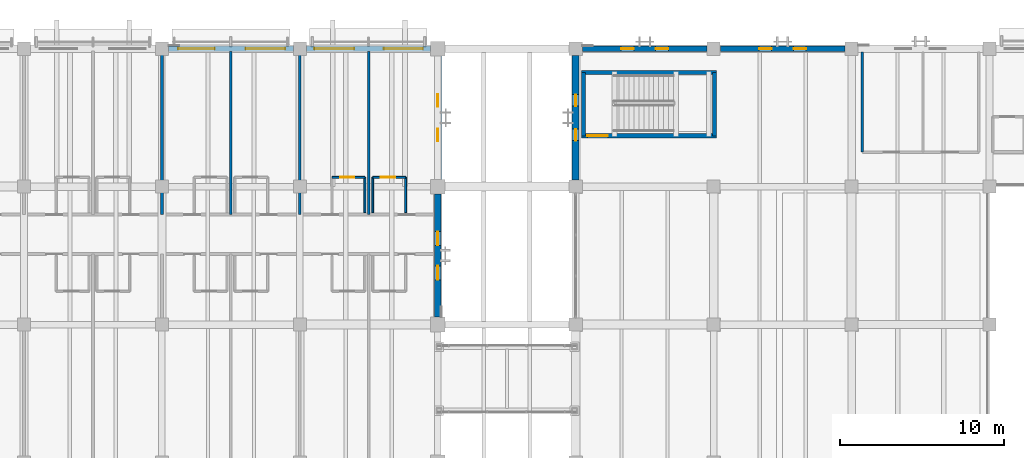
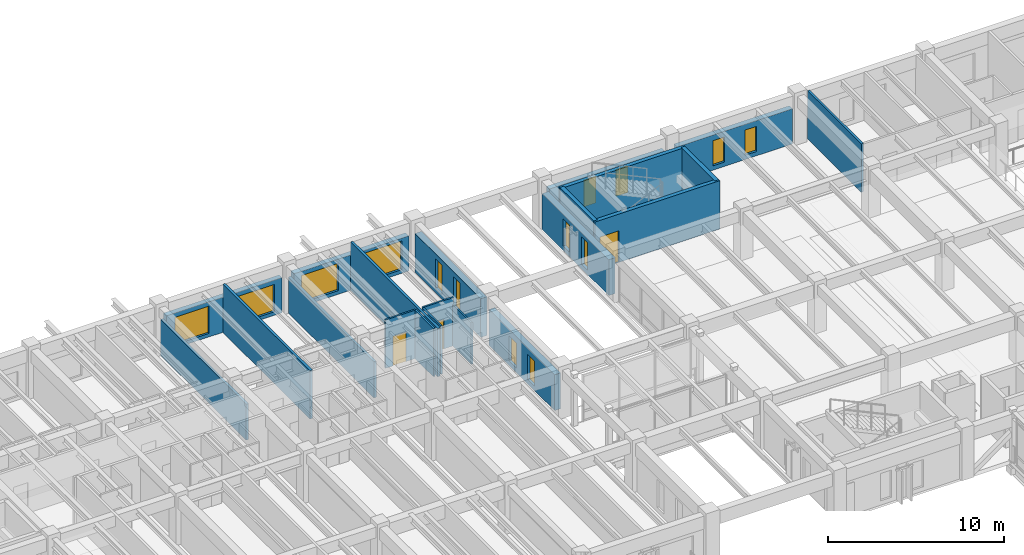
# One storey, part 77 of 118: 21 walls, 14 windows, 3 doors, 17 openings.
"""IFC4 building model written with IfcOpenShell, lengths in metres."""

from ifc_helpers import new_model, si_unit, direction, frame, frame_2d, origin, place, context, subcontext, project, spatial, rectangle, extrude, material, layer, layer_set, type_object, element, fill, save


model = new_model("IFC4")

# Units and contexts
model_context = context("Model", 3, precision=1e-05, world=origin(), true_north=direction((0.0, 1.0)))
body_context = subcontext(model_context, "Body", "Model", "MODEL_VIEW")
ifc_project = project(units=[si_unit("LENGTHUNIT", "METRE"), si_unit("AREAUNIT", "SQUARE_METRE"), si_unit("VOLUMEUNIT", "CUBIC_METRE"), si_unit("PLANEANGLEUNIT", "RADIAN"), si_unit("MASSUNIT", "GRAM", prefix="KILO")], contexts=[model_context])

# Site, building, storey
site_placement = place(None, origin())
site = spatial("IfcSite", under=ifc_project, at=site_placement, CompositionType="ELEMENT")
building_placement = place(site_placement, origin())
building = spatial("IfcBuilding", under=site, at=building_placement, Name="Cumbredor Promenade Congress Hotel", CompositionType="ELEMENT")
storey_placement = place(building_placement, frame((0.0, 0.0, 3.919921875)))
storey = spatial("IfcBuildingStorey", under=building, at=storey_placement, Name="L01", CompositionType="ELEMENT", Elevation=3.919921875)

# Wall, opening, door
ifc_material_1 = material(Name="Moisture-resistant gypsum board on steel studs", Category="steel")
ifc_layer_1 = layer(ifc_material_1, 0.114990234375, Name="Moisture-resistant gypsum board on steel studs", Category="steel")
ifc_layer_set_1 = layer_set([ifc_layer_1], Name="Moisture-resistant gypsum board on steel studs")
wall_type_1 = type_object("IfcWallType", Name="WL-BATH-115", PredefinedType="PARTITIONING", material=ifc_layer_set_1)
wall_1_placement = place(storey_placement, frame((77.56005859375, 109.77001953125, 0.0), z_axis=(0.0, 0.0, 1.0), x_axis=(1.0, 0.0, 0.0)))
wall_1 = element("IfcWall", 1, at=wall_1_placement, inside=storey, type_object=wall_type_1, Name="L01 Interior Partition W-L01-BH-0117", PredefinedType="PARTITIONING", context=body_context, shape_type="SweptSolid", body=[
    extrude(rectangle(XDim=2.0, YDim=0.114990234375, at=frame_2d((1.0, 0.0))), origin(), (0.0, 0.0, 1.0), 3.360107421875),
])
opening_1_placement = place(wall_1_placement, frame((0.5, 0.0, 0.0)))
opening_1 = element("IfcOpeningElement", 2, at=opening_1_placement, cuts=wall_1, Name="Opening ID-01", PredefinedType="OPENING", context=body_context, shape_type="SweptSolid", body=[
    extrude(rectangle(XDim=0.860107421875, YDim=2.050048828125, at=frame_2d((0.43017578125, 1.02490234375))), frame((0.0, 0.0673828125, 0.0), z_axis=(0.0, -1.0, 0.0), x_axis=(1.0, 0.0, 0.0)), (0.0, 0.0, 1.0), 0.135009765625),
])
ifc_material_2 = material(Name="Kiln-dried tropical hardwood", Category="wood")
door_type_1 = type_object("IfcDoorType", Name="DR-BATH-860", OperationType="NOTDEFINED", PredefinedType="DOOR", material=ifc_material_2)
door_1_placement = place(opening_1_placement, origin())
door_1 = element("IfcDoor", 3, at=door_1_placement, inside=storey, type_object=door_type_1, Name="L01 Interior Door W-L01-BH-0117-01", OperationType="SINGLE_SWING_LEFT", OverallHeight=2.050048828125, OverallWidth=0.860107421875, PredefinedType="DOOR", context=body_context, shape_type="SweptSolid", body=[
    extrude(rectangle(XDim=0.860107421875, YDim=2.050048828125, at=frame_2d((0.43017578125, 1.02490234375))), frame((0.0, 0.02490234375, 0.0), z_axis=(0.0, -1.0, 0.0), x_axis=(1.0, 0.0, 0.0)), (0.0, 0.0, 1.0), 0.050048828125),
])
fill(opening_1, door_1)

# Wall
wall_2_placement = place(storey_placement, frame((79.56005859375, 107.6201171875, 0.0), z_axis=(0.0, 0.0, 1.0), x_axis=(0.0, 1.0, 0.0)))
element("IfcWall", 4, at=wall_2_placement, inside=storey, type_object=wall_type_1, Name="L01 Interior Partition W-L01-BV2-0117", PredefinedType="PARTITIONING", context=body_context, shape_type="SweptSolid", body=[
    extrude(rectangle(XDim=2.14990234375, YDim=0.114990234375, at=frame_2d((1.074951171875, 0.0))), origin(), (0.0, 0.0, 1.0), 3.360107421875),
])

# Wall, opening, door
wall_3_placement = place(storey_placement, frame((80.0400390625, 109.77001953125, 0.0), z_axis=(0.0, 0.0, 1.0), x_axis=(1.0, 0.0, 0.0)))
wall_3 = element("IfcWall", 5, at=wall_3_placement, inside=storey, type_object=wall_type_1, Name="L01 Interior Partition W-L01-BH-0118", PredefinedType="PARTITIONING", context=body_context, shape_type="SweptSolid", body=[
    extrude(rectangle(XDim=2.0, YDim=0.114990234375, at=frame_2d((1.0, 0.0))), origin(), (0.0, 0.0, 1.0), 3.360107421875),
])
opening_2_placement = place(wall_3_placement, frame((0.5, 0.0, 0.0)))
opening_2 = element("IfcOpeningElement", 6, at=opening_2_placement, cuts=wall_3, Name="Opening ID-01", PredefinedType="OPENING", context=body_context, shape_type="SweptSolid", body=[
    extrude(rectangle(XDim=0.860107421875, YDim=2.050048828125, at=frame_2d((0.43017578125, 1.02490234375))), frame((0.0, 0.0673828125, 0.0), z_axis=(0.0, -1.0, 0.0), x_axis=(1.0, 0.0, 0.0)), (0.0, 0.0, 1.0), 0.135009765625),
])
door_2_placement = place(opening_2_placement, origin())
door_2 = element("IfcDoor", 7, at=door_2_placement, inside=storey, type_object=door_type_1, Name="L01 Interior Door W-L01-BH-0118-01", OperationType="SINGLE_SWING_RIGHT", OverallHeight=2.050048828125, OverallWidth=0.860107421875, PredefinedType="DOOR", context=body_context, shape_type="SweptSolid", body=[
    extrude(rectangle(XDim=0.860107421875, YDim=2.050048828125, at=frame_2d((0.43017578125, 1.02490234375))), frame((0.0, 0.02490234375, 0.0), z_axis=(0.0, -1.0, 0.0), x_axis=(1.0, 0.0, 0.0)), (0.0, 0.0, 1.0), 0.050048828125),
])
fill(opening_2, door_2)

# Walls
wall_4_placement = place(storey_placement, frame((80.0400390625, 107.6201171875, 0.0), z_axis=(0.0, 0.0, 1.0), x_axis=(0.0, 1.0, 0.0)))
element("IfcWall", 8, at=wall_4_placement, inside=storey, type_object=wall_type_1, Name="L01 Interior Partition W-L01-BV1-0118", PredefinedType="PARTITIONING", context=body_context, shape_type="SweptSolid", body=[
    extrude(rectangle(XDim=2.14990234375, YDim=0.114990234375, at=frame_2d((1.074951171875, 0.0))), origin(), (0.0, 0.0, 1.0), 3.360107421875),
])
wall_5_placement = place(storey_placement, frame((82.0400390625, 107.6201171875, 0.0), z_axis=(0.0, 0.0, 1.0), x_axis=(0.0, 1.0, 0.0)))
element("IfcWall", 9, at=wall_5_placement, inside=storey, type_object=wall_type_1, Name="L01 Interior Partition W-L01-BV2-0118", PredefinedType="PARTITIONING", context=body_context, shape_type="SweptSolid", body=[
    extrude(rectangle(XDim=2.14990234375, YDim=0.114990234375, at=frame_2d((1.074951171875, 0.0))), origin(), (0.0, 0.0, 1.0), 2.882080078125),
])

# Wall, openings, windows
ifc_material_3 = material(Name="Concrete C40/50", Category="concrete")
ifc_layer_2 = layer(ifc_material_3, 0.324951171875, Name="Concrete C40/50", Category="concrete")
ifc_layer_set_2 = layer_set([ifc_layer_2], Name="Concrete C40/50")
wall_type_2 = type_object("IfcWallType", Name="WL-EXT-325", PredefinedType="SOLIDWALL", material=ifc_layer_set_2)
wall_6_placement = place(storey_placement, frame((92.801025390625, 117.60009765625, 0.0), z_axis=(0.0, 0.0, 1.0), x_axis=(1.0, 0.0, 0.0)))
wall_6 = element("IfcWall", 10, at=wall_6_placement, inside=storey, type_object=wall_type_2, Name="L01 Pre-Function and Breakout Meeting Forum North Envelope Wall 1", PredefinedType="SOLIDWALL", context=body_context, shape_type="SweptSolid", body=[
    extrude(rectangle(XDim=7.597900390625, YDim=0.324951171875, at=frame_2d((3.798828125, 0.0))), origin(), (0.0, 0.0, 1.0), 2.445068359375),
])
opening_3_placement = place(wall_6_placement, frame((2.35888671875, 0.0, 0.300048828125)))
opening_3 = element("IfcOpeningElement", 11, at=opening_3_placement, cuts=wall_6, Name="Opening WN-46", PredefinedType="OPENING", context=body_context, shape_type="SweptSolid", body=[
    extrude(rectangle(XDim=0.780029296875, YDim=1.85009765625, at=frame_2d((0.39013671875, 0.925048828125))), frame((0.0, 0.17236328125, 0.0), z_axis=(0.0, -1.0, 0.0), x_axis=(1.0, 0.0, 0.0)), (0.0, 0.0, 1.0), 0.344970703125),
])
opening_4_placement = place(wall_6_placement, frame((4.458984375, 0.0, 0.300048828125)))
opening_4 = element("IfcOpeningElement", 12, at=opening_4_placement, cuts=wall_6, Name="Opening WN-46", PredefinedType="OPENING", context=body_context, shape_type="SweptSolid", body=[
    extrude(rectangle(XDim=0.780029296875, YDim=1.85009765625, at=frame_2d((0.39013671875, 0.925048828125))), frame((0.0, 0.17236328125, 0.0), z_axis=(0.0, -1.0, 0.0), x_axis=(1.0, 0.0, 0.0)), (0.0, 0.0, 1.0), 0.344970703125),
])
ifc_material_4 = material(Name="Thermally broken anodized aluminium and low-E glass", Category="aluminium")
window_type_1 = type_object("IfcWindowType", Name="Vertical Slot Window WN-46 780x1850", PartitioningType="SINGLE_PANEL", PredefinedType="WINDOW", material=ifc_material_4)
window_1_placement = place(opening_3_placement, origin())
window_1 = element("IfcWindow", 13, at=window_1_placement, inside=storey, type_object=window_type_1, Name="L01 Vertical Slot Window 0157", OverallHeight=1.85009765625, OverallWidth=0.780029296875, PartitioningType="SINGLE_PANEL", PredefinedType="WINDOW", context=body_context, shape_type="SweptSolid", body=[
    extrude(rectangle(XDim=0.780029296875, YDim=1.85009765625, at=frame_2d((0.39013671875, 0.925048828125))), frame((0.0, 0.030029296875, 0.0), z_axis=(0.0, -1.0, 0.0), x_axis=(1.0, 0.0, 0.0)), (0.0, 0.0, 1.0), 0.06005859375),
])
fill(opening_3, window_1)
window_2_placement = place(opening_4_placement, origin())
window_2 = element("IfcWindow", 14, at=window_2_placement, inside=storey, type_object=window_type_1, Name="L01 Vertical Slot Window 0158", OverallHeight=1.85009765625, OverallWidth=0.780029296875, PartitioningType="SINGLE_PANEL", PredefinedType="WINDOW", context=body_context, shape_type="SweptSolid", body=[
    extrude(rectangle(XDim=0.780029296875, YDim=1.85009765625, at=frame_2d((0.39013671875, 0.925048828125))), frame((0.0, 0.030029296875, 0.0), z_axis=(0.0, -1.0, 0.0), x_axis=(1.0, 0.0, 0.0)), (0.0, 0.0, 1.0), 0.06005859375),
])
fill(opening_4, window_2)

wall_7_placement = place(storey_placement, frame((67.60107421875, 117.60009765625, 0.0), z_axis=(0.0, 0.0, 1.0), x_axis=(1.0, 0.0, 0.0)))
wall_7 = element("IfcWall", 15, at=wall_7_placement, inside=storey, type_object=wall_type_2, Name="L01 Stepped Congress Hotel Wing North Envelope Wall 9", PredefinedType="SOLIDWALL", context=body_context, shape_type="SweptSolid", body=[
    extrude(rectangle(XDim=7.597900390625, YDim=0.324951171875, at=frame_2d((3.798828125, 0.0))), origin(), (0.0, 0.0, 1.0), 2.445068359375),
])
opening_5_placement = place(wall_7_placement, frame((0.589111328125, 0.0, 0.25)))
opening_5 = element("IfcOpeningElement", 16, at=opening_5_placement, cuts=wall_7, Name="Opening WN-35", PredefinedType="OPENING", context=body_context, shape_type="SweptSolid", body=[
    extrude(rectangle(XDim=2.219970703125, YDim=1.89990234375, at=frame_2d((1.10986328125, 0.949951171875))), frame((0.0, 0.17236328125, 0.0), z_axis=(0.0, -1.0, 0.0), x_axis=(1.0, 0.0, 0.0)), (0.0, 0.0, 1.0), 0.344970703125),
])
opening_6_placement = place(wall_7_placement, frame((4.68896484375, 0.0, 0.25)))
opening_6 = element("IfcOpeningElement", 17, at=opening_6_placement, cuts=wall_7, Name="Opening WN-37", PredefinedType="OPENING", context=body_context, shape_type="SweptSolid", body=[
    extrude(rectangle(XDim=2.419921875, YDim=1.89990234375, at=frame_2d((1.2099609375, 0.949951171875))), frame((0.0, 0.17236328125, 0.0), z_axis=(0.0, -1.0, 0.0), x_axis=(1.0, 0.0, 0.0)), (0.0, 0.0, 1.0), 0.344970703125),
])
window_type_2 = type_object("IfcWindowType", Name="Hospitality Floor-to-Ceiling Window WN-35 2220x1900", PartitioningType="DOUBLE_PANEL_VERTICAL", PredefinedType="WINDOW", material=ifc_material_4)
window_3_placement = place(opening_5_placement, origin())
window_3 = element("IfcWindow", 18, at=window_3_placement, inside=storey, type_object=window_type_2, Name="L01 Wide Hospitality Window 0214", OverallHeight=1.89990234375, OverallWidth=2.219970703125, PartitioningType="DOUBLE_PANEL_VERTICAL", PredefinedType="WINDOW", context=body_context, shape_type="SweptSolid", body=[
    extrude(rectangle(XDim=2.219970703125, YDim=1.89990234375, at=frame_2d((1.10986328125, 0.949951171875))), frame((0.0, 0.030029296875, 0.0), z_axis=(0.0, -1.0, 0.0), x_axis=(1.0, 0.0, 0.0)), (0.0, 0.0, 1.0), 0.06005859375),
])
fill(opening_5, window_3)
window_type_3 = type_object("IfcWindowType", Name="Hospitality Floor-to-Ceiling Window WN-37 2420x1900", PartitioningType="DOUBLE_PANEL_VERTICAL", PredefinedType="WINDOW", material=ifc_material_4)
window_4_placement = place(opening_6_placement, origin())
window_4 = element("IfcWindow", 19, at=window_4_placement, inside=storey, type_object=window_type_3, Name="L01 Wide Hospitality Window 0215", OverallHeight=1.89990234375, OverallWidth=2.419921875, PartitioningType="DOUBLE_PANEL_VERTICAL", PredefinedType="WINDOW", context=body_context, shape_type="SweptSolid", body=[
    extrude(rectangle(XDim=2.419921875, YDim=1.89990234375, at=frame_2d((1.2099609375, 0.949951171875))), frame((0.0, 0.030029296875, 0.0), z_axis=(0.0, -1.0, 0.0), x_axis=(1.0, 0.0, 0.0)), (0.0, 0.0, 1.0), 0.06005859375),
])
fill(opening_6, window_4)

ifc_layer_3 = layer(ifc_material_3, 0.35009765625, Name="Concrete C40/50", Category="concrete")
ifc_layer_set_3 = layer_set([ifc_layer_3], Name="Concrete C40/50")
wall_type_3 = type_object("IfcWallType", Name="WL-EXT-350", PredefinedType="SOLIDWALL", material=ifc_layer_set_3)
wall_8_placement = place(storey_placement, frame((101.200927734375, 117.60009765625, 0.0), z_axis=(0.0, 0.0, 1.0), x_axis=(1.0, 0.0, 0.0)))
wall_8 = element("IfcWall", 20, at=wall_8_placement, inside=storey, type_object=wall_type_3, Name="L01 Pre-Function and Breakout Meeting Forum North Envelope Wall 2", PredefinedType="SOLIDWALL", context=body_context, shape_type="SweptSolid", body=[
    extrude(rectangle(XDim=7.59814453125, YDim=0.35009765625, at=frame_2d((3.799072265625, 0.0))), origin(), (0.0, 0.0, 1.0), 2.445068359375),
])
opening_7_placement = place(wall_8_placement, frame((2.368896484375, 0.0, 0.300048828125)))
opening_7 = element("IfcOpeningElement", 21, at=opening_7_placement, cuts=wall_8, Name="Opening WN-61", PredefinedType="OPENING", context=body_context, shape_type="SweptSolid", body=[
    extrude(rectangle(XDim=0.760009765625, YDim=1.75, at=frame_2d((0.3798828125, 0.875))), frame((0.0, 0.18505859375, 0.0), z_axis=(0.0, -1.0, 0.0), x_axis=(1.0, 0.0, 0.0)), (0.0, 0.0, 1.0), 0.3701171875),
])
opening_8_placement = place(wall_8_placement, frame((4.468994140625, 0.0, 0.300048828125)))
opening_8 = element("IfcOpeningElement", 22, at=opening_8_placement, cuts=wall_8, Name="Opening WN-61", PredefinedType="OPENING", context=body_context, shape_type="SweptSolid", body=[
    extrude(rectangle(XDim=0.760009765625, YDim=1.75, at=frame_2d((0.3798828125, 0.875))), frame((0.0, 0.18505859375, 0.0), z_axis=(0.0, -1.0, 0.0), x_axis=(1.0, 0.0, 0.0)), (0.0, 0.0, 1.0), 0.3701171875),
])
window_type_4 = type_object("IfcWindowType", Name="Vertical Slot Window WN-61 760x1750", PartitioningType="SINGLE_PANEL", PredefinedType="WINDOW", material=ifc_material_4)
window_5_placement = place(opening_7_placement, origin())
window_5 = element("IfcWindow", 23, at=window_5_placement, inside=storey, type_object=window_type_4, Name="L01 Vertical Slot Window 0159", OverallHeight=1.75, OverallWidth=0.760009765625, PartitioningType="SINGLE_PANEL", PredefinedType="WINDOW", context=body_context, shape_type="SweptSolid", body=[
    extrude(rectangle(XDim=0.760009765625, YDim=1.75, at=frame_2d((0.3798828125, 0.875))), frame((0.0, 0.030029296875, 0.0), z_axis=(0.0, -1.0, 0.0), x_axis=(1.0, 0.0, 0.0)), (0.0, 0.0, 1.0), 0.06005859375),
])
fill(opening_7, window_5)
window_6_placement = place(opening_8_placement, origin())
window_6 = element("IfcWindow", 24, at=window_6_placement, inside=storey, type_object=window_type_4, Name="L01 Vertical Slot Window 0160", OverallHeight=1.75, OverallWidth=0.760009765625, PartitioningType="SINGLE_PANEL", PredefinedType="WINDOW", context=body_context, shape_type="SweptSolid", body=[
    extrude(rectangle(XDim=0.760009765625, YDim=1.75, at=frame_2d((0.3798828125, 0.875))), frame((0.0, 0.030029296875, 0.0), z_axis=(0.0, -1.0, 0.0), x_axis=(1.0, 0.0, 0.0)), (0.0, 0.0, 1.0), 0.06005859375),
])
fill(opening_8, window_6)

wall_9_placement = place(storey_placement, frame((76.0009765625, 117.60009765625, 0.0), z_axis=(0.0, 0.0, 1.0), x_axis=(1.0, 0.0, 0.0)))
wall_9 = element("IfcWall", 25, at=wall_9_placement, inside=storey, type_object=wall_type_3, Name="L01 Stepped Congress Hotel Wing North Envelope Wall 10", PredefinedType="SOLIDWALL", context=body_context, shape_type="SweptSolid", body=[
    extrude(rectangle(XDim=7.548095703125, YDim=0.35009765625, at=frame_2d((3.77392578125, 0.0))), origin(), (0.0, 0.0, 1.0), 2.445068359375),
])
opening_9_placement = place(wall_9_placement, frame((0.489013671875, 0.0, 0.25)))
opening_9 = element("IfcOpeningElement", 26, at=opening_9_placement, cuts=wall_9, Name="Opening WN-37", PredefinedType="OPENING", context=body_context, shape_type="SweptSolid", body=[
    extrude(rectangle(XDim=2.419921875, YDim=1.89990234375, at=frame_2d((1.2099609375, 0.949951171875))), frame((0.0, 0.18505859375, 0.0), z_axis=(0.0, -1.0, 0.0), x_axis=(1.0, 0.0, 0.0)), (0.0, 0.0, 1.0), 0.3701171875),
])
opening_10_placement = place(wall_9_placement, frame((4.708984375, 0.0, 0.25)))
opening_10 = element("IfcOpeningElement", 27, at=opening_10_placement, cuts=wall_9, Name="Opening WN-41", PredefinedType="OPENING", context=body_context, shape_type="SweptSolid", body=[
    extrude(rectangle(XDim=2.3798828125, YDim=2.0, at=frame_2d((1.18994140625, 1.0))), frame((0.0, 0.18505859375, 0.0), z_axis=(0.0, -1.0, 0.0), x_axis=(1.0, 0.0, 0.0)), (0.0, 0.0, 1.0), 0.3701171875),
])
window_7_placement = place(opening_9_placement, origin())
window_7 = element("IfcWindow", 28, at=window_7_placement, inside=storey, type_object=window_type_3, Name="L01 Wide Hospitality Window 0216", OverallHeight=1.89990234375, OverallWidth=2.419921875, PartitioningType="DOUBLE_PANEL_VERTICAL", PredefinedType="WINDOW", context=body_context, shape_type="SweptSolid", body=[
    extrude(rectangle(XDim=2.419921875, YDim=1.89990234375, at=frame_2d((1.2099609375, 0.949951171875))), frame((0.0, 0.030029296875, 0.0), z_axis=(0.0, -1.0, 0.0), x_axis=(1.0, 0.0, 0.0)), (0.0, 0.0, 1.0), 0.06005859375),
])
fill(opening_9, window_7)
window_type_5 = type_object("IfcWindowType", Name="Hospitality Floor-to-Ceiling Window WN-41 2380x2000", PartitioningType="DOUBLE_PANEL_VERTICAL", PredefinedType="WINDOW", material=ifc_material_4)
window_8_placement = place(opening_10_placement, origin())
window_8 = element("IfcWindow", 29, at=window_8_placement, inside=storey, type_object=window_type_5, Name="L01 Wide Hospitality Window 0217", OverallHeight=2.0, OverallWidth=2.3798828125, PartitioningType="DOUBLE_PANEL_VERTICAL", PredefinedType="WINDOW", context=body_context, shape_type="SweptSolid", body=[
    extrude(rectangle(XDim=2.3798828125, YDim=2.0, at=frame_2d((1.18994140625, 1.0))), frame((0.0, 0.030029296875, 0.0), z_axis=(0.0, -1.0, 0.0), x_axis=(1.0, 0.0, 0.0)), (0.0, 0.0, 1.0), 0.06005859375),
])
fill(opening_10, window_8)

ifc_layer_4 = layer(ifc_material_3, 0.3798828125, Name="Concrete C40/50", Category="concrete")
ifc_layer_set_4 = layer_set([ifc_layer_4], Name="Concrete C40/50")
wall_type_4 = type_object("IfcWallType", Name="WL-EXT-380", PredefinedType="SOLIDWALL", material=ifc_layer_set_4)
wall_10_placement = place(storey_placement, frame((84.0, 101.2509765625, 0.0), z_axis=(0.0, 0.0, 1.0), x_axis=(0.0, 1.0, 0.0)))
wall_10 = element("IfcWall", 30, at=wall_10_placement, inside=storey, type_object=wall_type_4, Name="L01 Stepped Congress Hotel Wing East Envelope Wall 3", PredefinedType="SOLIDWALL", context=body_context, shape_type="SweptSolid", body=[
    extrude(rectangle(XDim=7.498046875, YDim=0.3798828125, at=frame_2d((3.7490234375, 0.0))), origin(), (0.0, 0.0, 1.0), 2.4951171875),
])
opening_11_placement = place(wall_10_placement, frame((2.279052734375, 0.0, 0.300048828125)))
opening_11 = element("IfcOpeningElement", 31, at=opening_11_placement, cuts=wall_10, Name="Opening WN-62", PredefinedType="OPENING", context=body_context, shape_type="SweptSolid", body=[
    extrude(rectangle(XDim=0.840087890625, YDim=1.75, at=frame_2d((0.419921875, 0.875))), frame((0.0, 0.199951171875, 0.0), z_axis=(0.0, -1.0, 0.0), x_axis=(1.0, 0.0, 0.0)), (0.0, 0.0, 1.0), 0.39990234375),
])
opening_12_placement = place(wall_10_placement, frame((4.37890625, 0.0, 0.300048828125)))
opening_12 = element("IfcOpeningElement", 32, at=opening_12_placement, cuts=wall_10, Name="Opening WN-62", PredefinedType="OPENING", context=body_context, shape_type="SweptSolid", body=[
    extrude(rectangle(XDim=0.840087890625, YDim=1.75, at=frame_2d((0.419921875, 0.875))), frame((0.0, 0.199951171875, 0.0), z_axis=(0.0, -1.0, 0.0), x_axis=(1.0, 0.0, 0.0)), (0.0, 0.0, 1.0), 0.39990234375),
])
window_type_6 = type_object("IfcWindowType", Name="Vertical Slot Window WN-62 840x1750", PartitioningType="SINGLE_PANEL", PredefinedType="WINDOW", material=ifc_material_4)
window_9_placement = place(opening_11_placement, origin())
window_9 = element("IfcWindow", 33, at=window_9_placement, inside=storey, type_object=window_type_6, Name="L01 Vertical Slot Window 0228", OverallHeight=1.75, OverallWidth=0.840087890625, PartitioningType="SINGLE_PANEL", PredefinedType="WINDOW", context=body_context, shape_type="SweptSolid", body=[
    extrude(rectangle(XDim=0.840087890625, YDim=1.75, at=frame_2d((0.419921875, 0.875))), frame((0.0, 0.030029296875, 0.0), z_axis=(0.0, -1.0, 0.0), x_axis=(1.0, 0.0, 0.0)), (0.0, 0.0, 1.0), 0.06005859375),
])
fill(opening_11, window_9)
window_10_placement = place(opening_12_placement, origin())
window_10 = element("IfcWindow", 34, at=window_10_placement, inside=storey, type_object=window_type_6, Name="L01 Vertical Slot Window 0229", OverallHeight=1.75, OverallWidth=0.840087890625, PartitioningType="SINGLE_PANEL", PredefinedType="WINDOW", context=body_context, shape_type="SweptSolid", body=[
    extrude(rectangle(XDim=0.840087890625, YDim=1.75, at=frame_2d((0.419921875, 0.875))), frame((0.0, 0.030029296875, 0.0), z_axis=(0.0, -1.0, 0.0), x_axis=(1.0, 0.0, 0.0)), (0.0, 0.0, 1.0), 0.06005859375),
])
fill(opening_12, window_10)

ifc_layer_5 = layer(ifc_material_3, 0.425048828125, Name="Concrete C40/50", Category="concrete")
ifc_layer_set_5 = layer_set([ifc_layer_5], Name="Concrete C40/50")
wall_type_5 = type_object("IfcWallType", Name="WL-EXT-425", PredefinedType="SOLIDWALL", material=ifc_layer_set_5)
wall_11_placement = place(storey_placement, frame((92.39990234375, 109.60107421875, 0.0), z_axis=(0.0, 0.0, 1.0), x_axis=(0.0, 1.0, 0.0)))
wall_11 = element("IfcWall", 35, at=wall_11_placement, inside=storey, type_object=wall_type_5, Name="L01 Pre-Function and Breakout Meeting Forum West Envelope Wall 4", PredefinedType="SOLIDWALL", context=body_context, shape_type="SweptSolid", body=[
    extrude(rectangle(XDim=7.597900390625, YDim=0.425048828125, at=frame_2d((3.798828125, 0.0))), origin(), (0.0, 0.0, 1.0), 2.4951171875),
])
opening_13_placement = place(wall_11_placement, frame((2.39892578125, 0.0, 0.300048828125)))
opening_13 = element("IfcOpeningElement", 36, at=opening_13_placement, cuts=wall_11, Name="Opening WN-65", PredefinedType="OPENING", context=body_context, shape_type="SweptSolid", body=[
    extrude(rectangle(XDim=0.699951171875, YDim=1.89990234375, at=frame_2d((0.35009765625, 0.949951171875))), frame((0.0, 0.22265625, 0.0), z_axis=(0.0, -1.0, 0.0), x_axis=(1.0, 0.0, 0.0)), (0.0, 0.0, 1.0), 0.445068359375),
])
opening_14_placement = place(wall_11_placement, frame((4.4990234375, 0.0, 0.300048828125)))
opening_14 = element("IfcOpeningElement", 37, at=opening_14_placement, cuts=wall_11, Name="Opening WN-65", PredefinedType="OPENING", context=body_context, shape_type="SweptSolid", body=[
    extrude(rectangle(XDim=0.699951171875, YDim=1.89990234375, at=frame_2d((0.35009765625, 0.949951171875))), frame((0.0, 0.22265625, 0.0), z_axis=(0.0, -1.0, 0.0), x_axis=(1.0, 0.0, 0.0)), (0.0, 0.0, 1.0), 0.445068359375),
])
window_type_7 = type_object("IfcWindowType", Name="Vertical Slot Window WN-65 700x1900", PartitioningType="SINGLE_PANEL", PredefinedType="WINDOW", material=ifc_material_4)
window_11_placement = place(opening_13_placement, origin())
window_11 = element("IfcWindow", 38, at=window_11_placement, inside=storey, type_object=window_type_7, Name="L01 Vertical Slot Window 0179", OverallHeight=1.89990234375, OverallWidth=0.699951171875, PartitioningType="SINGLE_PANEL", PredefinedType="WINDOW", context=body_context, shape_type="SweptSolid", body=[
    extrude(rectangle(XDim=0.699951171875, YDim=1.89990234375, at=frame_2d((0.35009765625, 0.949951171875))), frame((0.0, 0.030029296875, 0.0), z_axis=(0.0, -1.0, 0.0), x_axis=(1.0, 0.0, 0.0)), (0.0, 0.0, 1.0), 0.06005859375),
])
fill(opening_13, window_11)
window_12_placement = place(opening_14_placement, origin())
window_12 = element("IfcWindow", 39, at=window_12_placement, inside=storey, type_object=window_type_7, Name="L01 Vertical Slot Window 0180", OverallHeight=1.89990234375, OverallWidth=0.699951171875, PartitioningType="SINGLE_PANEL", PredefinedType="WINDOW", context=body_context, shape_type="SweptSolid", body=[
    extrude(rectangle(XDim=0.699951171875, YDim=1.89990234375, at=frame_2d((0.35009765625, 0.949951171875))), frame((0.0, 0.030029296875, 0.0), z_axis=(0.0, -1.0, 0.0), x_axis=(1.0, 0.0, 0.0)), (0.0, 0.0, 1.0), 0.06005859375),
])
fill(opening_14, window_12)

wall_12_placement = place(storey_placement, frame((84.0, 109.65087890625, 0.0), z_axis=(0.0, 0.0, 1.0), x_axis=(0.0, 1.0, 0.0)))
wall_12 = element("IfcWall", 40, at=wall_12_placement, inside=storey, type_object=wall_type_5, Name="L01 Stepped Congress Hotel Wing East Envelope Wall 4", PredefinedType="SOLIDWALL", context=body_context, shape_type="SweptSolid", body=[
    extrude(rectangle(XDim=7.498046875, YDim=0.425048828125, at=frame_2d((3.7490234375, 0.0))), origin(), (0.0, 0.0, 1.0), 2.695068359375),
])
opening_15_placement = place(wall_12_placement, frame((2.3291015625, 0.0, 0.300048828125)))
opening_15 = element("IfcOpeningElement", 41, at=opening_15_placement, cuts=wall_12, Name="Opening WN-53", PredefinedType="OPENING", context=body_context, shape_type="SweptSolid", body=[
    extrude(rectangle(XDim=0.739990234375, YDim=2.050048828125, at=frame_2d((0.3701171875, 1.02490234375))), frame((0.0, 0.22265625, 0.0), z_axis=(0.0, -1.0, 0.0), x_axis=(1.0, 0.0, 0.0)), (0.0, 0.0, 1.0), 0.445068359375),
])
opening_16_placement = place(wall_12_placement, frame((4.428955078125, 0.0, 0.300048828125)))
opening_16 = element("IfcOpeningElement", 42, at=opening_16_placement, cuts=wall_12, Name="Opening WN-53", PredefinedType="OPENING", context=body_context, shape_type="SweptSolid", body=[
    extrude(rectangle(XDim=0.739990234375, YDim=2.050048828125, at=frame_2d((0.3701171875, 1.02490234375))), frame((0.0, 0.22265625, 0.0), z_axis=(0.0, -1.0, 0.0), x_axis=(1.0, 0.0, 0.0)), (0.0, 0.0, 1.0), 0.445068359375),
])
window_type_8 = type_object("IfcWindowType", Name="Vertical Slot Window WN-53 740x2050", PartitioningType="SINGLE_PANEL", PredefinedType="WINDOW", material=ifc_material_4)
window_13_placement = place(opening_15_placement, origin())
window_13 = element("IfcWindow", 43, at=window_13_placement, inside=storey, type_object=window_type_8, Name="L01 Vertical Slot Window 0230", OverallHeight=2.050048828125, OverallWidth=0.739990234375, PartitioningType="SINGLE_PANEL", PredefinedType="WINDOW", context=body_context, shape_type="SweptSolid", body=[
    extrude(rectangle(XDim=0.739990234375, YDim=2.050048828125, at=frame_2d((0.3701171875, 1.02490234375))), frame((0.0, 0.030029296875, 0.0), z_axis=(0.0, -1.0, 0.0), x_axis=(1.0, 0.0, 0.0)), (0.0, 0.0, 1.0), 0.06005859375),
])
fill(opening_15, window_13)
window_14_placement = place(opening_16_placement, origin())
window_14 = element("IfcWindow", 44, at=window_14_placement, inside=storey, type_object=window_type_8, Name="L01 Vertical Slot Window 0231", OverallHeight=2.050048828125, OverallWidth=0.739990234375, PartitioningType="SINGLE_PANEL", PredefinedType="WINDOW", context=body_context, shape_type="SweptSolid", body=[
    extrude(rectangle(XDim=0.739990234375, YDim=2.050048828125, at=frame_2d((0.3701171875, 1.02490234375))), frame((0.0, 0.030029296875, 0.0), z_axis=(0.0, -1.0, 0.0), x_axis=(1.0, 0.0, 0.0)), (0.0, 0.0, 1.0), 0.06005859375),
])
fill(opening_16, window_14)

# Wall
ifc_material_5 = material(Name="Acoustic gypsum partition on steel studs", Category="steel")
ifc_layer_6 = layer(ifc_material_5, 0.139892578125, Name="Acoustic gypsum partition on steel studs", Category="steel")
ifc_layer_set_6 = layer_set([ifc_layer_6], Name="Acoustic gypsum partition on steel studs")
wall_type_6 = type_object("IfcWallType", Name="WL-PART-140", PredefinedType="PARTITIONING", material=ifc_layer_set_6)
wall_13_placement = place(storey_placement, frame((109.85009765625, 111.300048828125, 0.0), z_axis=(0.0, 0.0, 1.0), x_axis=(0.0, 1.0, 0.0)))
element("IfcWall", 45, at=wall_13_placement, inside=storey, type_object=wall_type_6, Name="L01 Interior Partition W-L01-V4-WC-W", PredefinedType="PARTITIONING", context=body_context, shape_type="SweptSolid", body=[
    extrude(rectangle(XDim=6.10986328125, YDim=0.139892578125, at=frame_2d((3.054931640625, 0.0))), origin(), (0.0, 0.0, 1.0), 3.360107421875),
])

# Wall, opening, door
ifc_layer_7 = layer(ifc_material_3, 0.2548828125, Name="Concrete C40/50", Category="concrete")
ifc_layer_set_7 = layer_set([ifc_layer_7], Name="Concrete C40/50")
wall_type_7 = type_object("IfcWallType", Name="WL-SHAFT-250", PredefinedType="SOLIDWALL", material=ifc_layer_set_7)
wall_14_placement = place(storey_placement, frame((92.75244140625, 112.300048828125, 0.0), z_axis=(0.0, 0.0, 1.0), x_axis=(1.0, 0.0, 0.0)))
wall_14 = element("IfcWall", 46, at=wall_14_placement, inside=storey, type_object=wall_type_7, Name="STAIR-ST-15-L01 Shaft Wall South", PredefinedType="SOLIDWALL", context=body_context, shape_type="SweptSolid", body=[
    extrude(rectangle(XDim=8.22509765625, YDim=0.2548828125, at=frame_2d((4.112548828125, 0.0))), origin(), (0.0, 0.0, 1.0), 3.360107421875),
])
opening_17_placement = place(wall_14_placement, frame((0.35009765625, 0.0, 0.0)))
opening_17 = element("IfcOpeningElement", 47, at=opening_17_placement, cuts=wall_14, Name="Opening SD-02", PredefinedType="OPENING", context=body_context, shape_type="SweptSolid", body=[
    extrude(rectangle(XDim=1.25, YDim=2.199951171875, at=frame_2d((0.625, 1.10009765625))), frame((0.0, 0.137451171875, 0.0), z_axis=(0.0, -1.0, 0.0), x_axis=(1.0, 0.0, 0.0)), (0.0, 0.0, 1.0), 0.27490234375),
])
ifc_material_6 = material(Name="Painted galvanized steel fire door", Category="steel")
door_type_2 = type_object("IfcDoorType", Name="DR-STAIR-FD90-1250", OperationType="NOTDEFINED", PredefinedType="DOOR", material=ifc_material_6)
door_3_placement = place(opening_17_placement, origin())
door_3 = element("IfcDoor", 48, at=door_3_placement, inside=storey, type_object=door_type_2, Name="L01 Protected Exit Stair ST-15 Door", OperationType="SINGLE_SWING_LEFT", OverallHeight=2.199951171875, OverallWidth=1.25, PredefinedType="DOOR", context=body_context, shape_type="SweptSolid", body=[
    extrude(rectangle(XDim=1.25, YDim=2.199951171875, at=frame_2d((0.625, 1.10009765625))), frame((0.0, 0.02490234375, 0.0), z_axis=(0.0, -1.0, 0.0), x_axis=(1.0, 0.0, 0.0)), (0.0, 0.0, 1.0), 0.050048828125),
])
fill(opening_17, door_3)

# Walls
wall_15_placement = place(storey_placement, frame((92.75244140625, 116.14990234375, 0.0), z_axis=(0.0, 0.0, 1.0), x_axis=(1.0, 0.0, 0.0)))
element("IfcWall", 49, at=wall_15_placement, inside=storey, type_object=wall_type_7, Name="STAIR-ST-15-L01 Shaft Wall North", PredefinedType="SOLIDWALL", context=body_context, shape_type="SweptSolid", body=[
    extrude(rectangle(XDim=8.22509765625, YDim=0.2548828125, at=frame_2d((4.112548828125, 0.0))), origin(), (0.0, 0.0, 1.0), 3.360107421875),
])
for number, where, z_axis, x_axis, name in (
    (50, (92.8798828125, 112.300048828125, 0.0), (0.0, 0.0, 1.0), (0.0, 1.0, 0.0), "STAIR-ST-15-L01 Shaft Wall West"),
    (51, (100.85009765625, 112.300048828125, 0.0), (0.0, 0.0, 1.0), (0.0, 1.0, 0.0), "STAIR-ST-15-L01 Shaft Wall East"),
):
    element("IfcWall", number, at=place(storey_placement, frame(where, z_axis=z_axis, x_axis=x_axis)), inside=storey, type_object=wall_type_7, Name=name, PredefinedType="SOLIDWALL", context=body_context, shape_type="SweptSolid", body=[
        extrude(rectangle(XDim=3.849853515625, YDim=0.2548828125, at=frame_2d((1.9248046875, 0.0))), origin(), (0.0, 0.0, 1.0), 3.360107421875),
    ])
ifc_material_7 = material(Name="Fire-rated acoustic double-stud partition")
ifc_layer_8 = layer(ifc_material_7, 0.1650390625, Name="Fire-rated acoustic double-stud partition")
ifc_layer_set_8 = layer_set([ifc_layer_8], Name="Fire-rated acoustic double-stud partition")
wall_type_8 = type_object("IfcWallType", Name="WL-UNIT-165", PredefinedType="PARTITIONING", material=ifc_layer_set_8)
wall_16_placement = place(storey_placement, frame((71.39990234375, 107.5, 0.0), z_axis=(0.0, 0.0, 1.0), x_axis=(0.0, 1.0, 0.0)))
element("IfcWall", 52, at=wall_16_placement, inside=storey, type_object=wall_type_8, Name="L01 Interior Partition W-L01-N-DIV-8-M", PredefinedType="PARTITIONING", context=body_context, shape_type="SweptSolid", body=[
    extrude(rectangle(XDim=9.9375, YDim=0.1650390625, at=frame_2d((4.96875, 0.0))), origin(), (0.0, 0.0, 1.0), 3.360107421875),
])
wall_17_placement = place(storey_placement, frame((67.199951171875, 107.5, 0.0), z_axis=(0.0, 0.0, 1.0), x_axis=(0.0, 1.0, 0.0)))
element("IfcWall", 53, at=wall_17_placement, inside=storey, type_object=wall_type_8, Name="L01 Interior Partition W-L01-N-DIV-8-G", PredefinedType="PARTITIONING", context=body_context, shape_type="SweptSolid", body=[
    extrude(rectangle(XDim=9.75, YDim=0.1650390625, at=frame_2d((4.875, 0.0))), origin(), (0.0, 0.0, 1.0), 2.4951171875),
])
wall_18_placement = place(storey_placement, frame((79.800048828125, 107.5, 0.0), z_axis=(0.0, 0.0, 1.0), x_axis=(0.0, 1.0, 0.0)))
element("IfcWall", 54, at=wall_18_placement, inside=storey, type_object=wall_type_8, Name="L01 Interior Partition W-L01-N-DIV-9-M", PredefinedType="PARTITIONING", context=body_context, shape_type="SweptSolid", body=[
    extrude(rectangle(XDim=9.925048828125, YDim=0.1650390625, at=frame_2d((4.96240234375, 0.0))), origin(), (0.0, 0.0, 1.0), 3.360107421875),
])
wall_19_placement = place(storey_placement, frame((75.60009765625, 107.5, 0.0), z_axis=(0.0, 0.0, 1.0), x_axis=(0.0, 1.0, 0.0)))
element("IfcWall", 55, at=wall_19_placement, inside=storey, type_object=wall_type_8, Name="L01 Interior Partition W-L01-N-DIV-9-G", PredefinedType="PARTITIONING", context=body_context, shape_type="SweptSolid", body=[
    extrude(rectangle(XDim=9.75, YDim=0.1650390625, at=frame_2d((4.875, 0.0))), origin(), (0.0, 0.0, 1.0), 2.4951171875),
])

save(model, "model.ifc")
